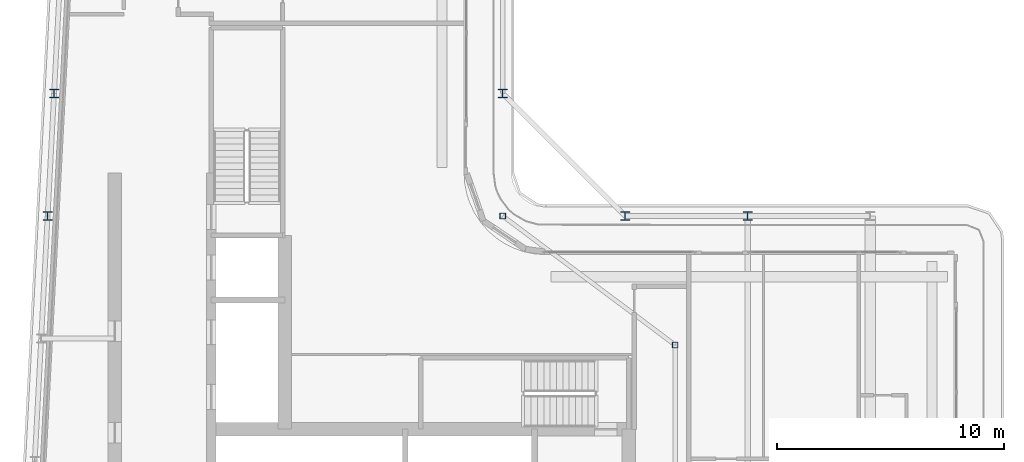
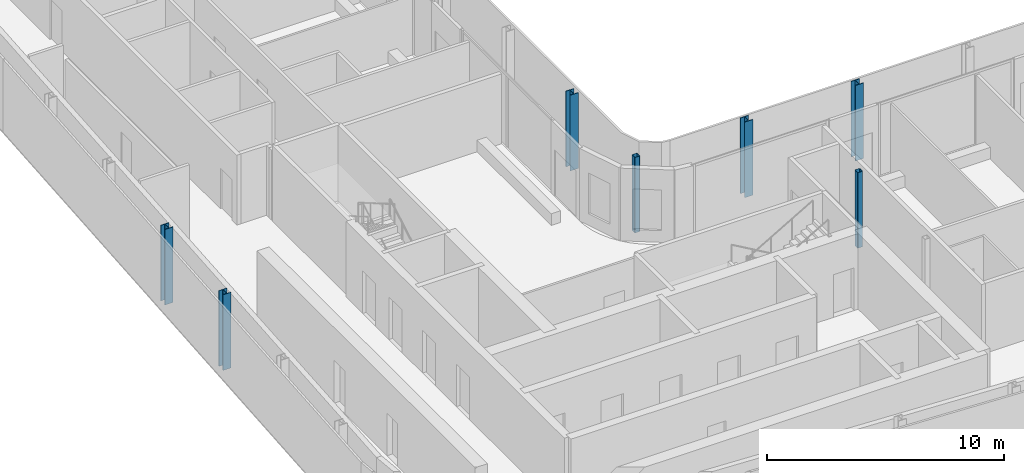
# One storey, part 2 of 21: 7 columns.
"""IFC4 building model written with IfcOpenShell, lengths in metres."""

from ifc_helpers import new_model, si_unit, direction, frame, origin, origin_2d, place, context, subcontext, project, spatial, hollow_rectangle, i_section, extrude, material, material_profile, profile_set, type_object, element, save


model = new_model("IFC4")

# Units and contexts
model_context = context("Model", 3, precision=1e-05, world=origin(), true_north=direction((0.0, 1.0)))
body_context = subcontext(model_context, "Body", "Model", "MODEL_VIEW")
ifc_project = project(units=[si_unit("LENGTHUNIT", "METRE"), si_unit("AREAUNIT", "SQUARE_METRE"), si_unit("VOLUMEUNIT", "CUBIC_METRE"), si_unit("PLANEANGLEUNIT", "RADIAN"), si_unit("MASSUNIT", "GRAM", prefix="KILO")], contexts=[model_context])

# Site, building, storey
site_placement = place(None, origin())
site = spatial("IfcSite", under=ifc_project, at=site_placement, CompositionType="ELEMENT")
building_placement = place(site_placement, origin())
building = spatial("IfcBuilding", under=site, at=building_placement, Name="Kheshtan School and Residences Tower", CompositionType="ELEMENT")
storey_placement = place(building_placement, frame((0.0, 0.0, 302.0)))
storey = spatial("IfcBuildingStorey", under=building, at=storey_placement, Name="L71", CompositionType="ELEMENT", Elevation=302.0)

# Columns
ifc_material_1 = material(Name="Steel ASTM A992 Grade 50", Category="steel")
ifc_material_profile_1 = material_profile(ifc_material_1, i_section(OverallWidth=0.39501953125, OverallDepth=0.3798828125, WebThickness=0.018798828125, FlangeThickness=0.0302734375, FilletRadius=0.011474609375, at=origin_2d()), Name="W360x237")
ifc_profile_set_1 = profile_set([ifc_material_profile_1], Name="Steel ASTM A992 Grade 50")
column_type_1 = type_object("IfcColumnType", Name="Column C5 W360x237 ASTM A992 Grade 50", PredefinedType="COLUMN", material=ifc_profile_set_1)
for number, where, z_axis, x_axis, name in (
    (1, (27.537109375, 45.60009765625, 0.0), (0.0, 0.0, 1.0), (1.0, 0.0, 0.0), "Column C059"),
    (2, (53.0, 45.60009765625, 0.0), (0.0, 0.0, 1.0), (1.0, 0.0, 0.0), "Column C061"),
    (3, (58.39990234375, 45.60009765625, 0.0), (0.0, 0.0, 1.0), (1.0, 0.0, 0.0), "Column C062"),
    (4, (27.822021484375, 51.0, 0.0), (0.0, 0.0, 1.0), (1.0, 0.0, 0.0), "Column C078"),
    (5, (47.60009765625, 51.0, 0.0), (0.0, 0.0, 1.0), (1.0, 0.0, 0.0), "Column C079"),
):
    element("IfcColumn", number, at=place(storey_placement, frame(where, z_axis=z_axis, x_axis=x_axis)), inside=storey, type_object=column_type_1, Name=name, PredefinedType="COLUMN", context=body_context, shape_type="SweptSolid", body=[
        extrude(i_section(OverallWidth=0.39501953125, OverallDepth=0.3798828125, WebThickness=0.018798828125, FlangeThickness=0.0302734375, FilletRadius=0.011474609375, at=origin_2d()), origin(), (0.0, 0.0, 1.0), 3.89990234375),
    ])
ifc_material_2 = material(Name="Steel ASTM A500 Grade C", Category="steel")
ifc_material_profile_2 = material_profile(ifc_material_2, hollow_rectangle(XDim=0.25390625, YDim=0.25390625, WallThickness=0.0126953125, InnerFilletRadius=0.0126953125, OuterFilletRadius=0.025390625, at=origin_2d()), Name="HSS 254x254x12.7")
ifc_profile_set_2 = profile_set([ifc_material_profile_2], Name="Steel ASTM A500 Grade C")
column_type_2 = type_object("IfcColumnType", Name="Column IC3 HSS 254x254x12.7 ASTM A500 Grade C", PredefinedType="COLUMN", material=ifc_profile_set_2)
for number, where, z_axis, x_axis, name in (
    (6, (55.199951171875, 39.916015625, 0.0), (0.0, 0.0, 1.0), (1.0, 0.0, 0.0), "Column C055"),
    (7, (47.60009765625, 45.60009765625, 0.0), (0.0, 0.0, 1.0), (1.0, 0.0, 0.0), "Column C060"),
):
    element("IfcColumn", number, at=place(storey_placement, frame(where, z_axis=z_axis, x_axis=x_axis)), inside=storey, type_object=column_type_2, Name=name, PredefinedType="COLUMN", context=body_context, shape_type="SweptSolid", body=[
        extrude(hollow_rectangle(XDim=0.25390625, YDim=0.25390625, WallThickness=0.0126953125, InnerFilletRadius=0.0126953125, OuterFilletRadius=0.025390625, at=origin_2d()), origin(), (0.0, 0.0, 1.0), 3.89990234375),
    ])

save(model, "model.ifc")
